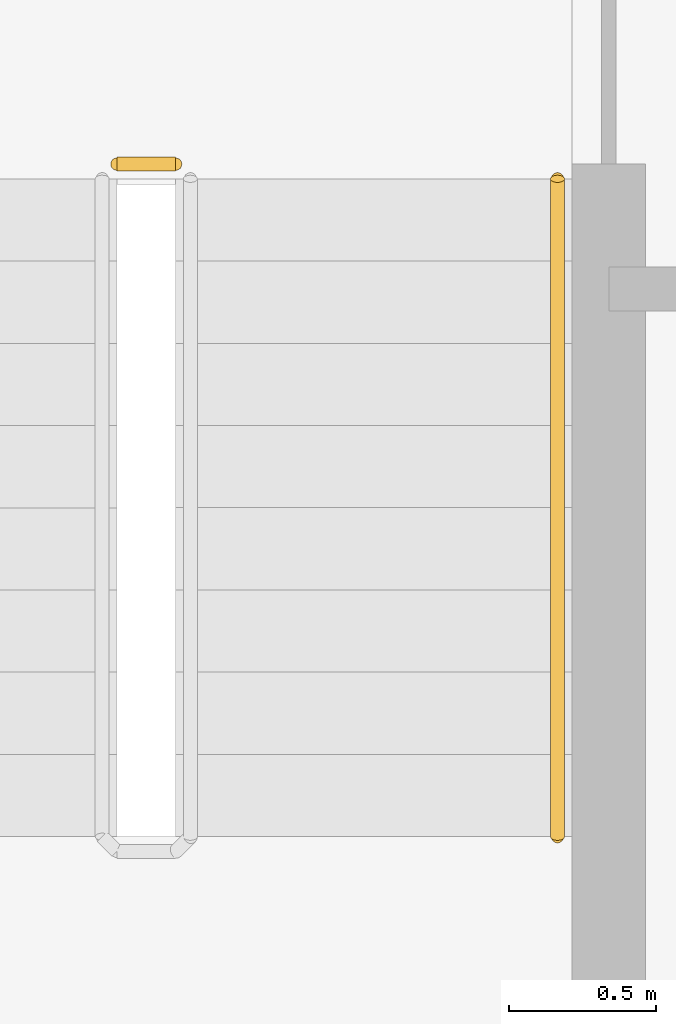
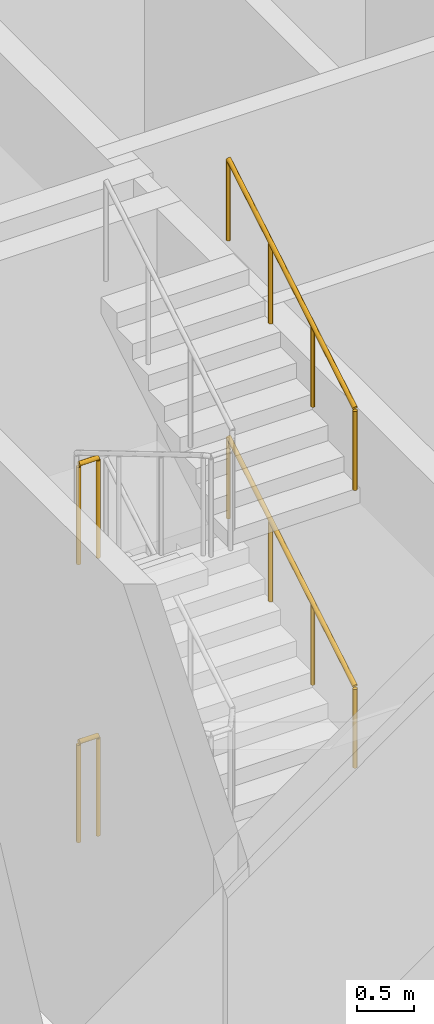
# One storey, part 35 of 47: 4 railings.
"""IFC4 building model written with IfcOpenShell, lengths in metres."""

from ifc_helpers import new_model, si_unit, direction, frame, origin, origin_2d, place, context, subcontext, project, spatial, circle, extrude, material, type_object, element, save


model = new_model("IFC4")

# Units and contexts
model_context = context("Model", 3, precision=1e-05, world=origin(), true_north=direction((0.0, 1.0)))
body_context = subcontext(model_context, "Body", "Model", "MODEL_VIEW")
ifc_project = project(units=[si_unit("LENGTHUNIT", "METRE"), si_unit("AREAUNIT", "SQUARE_METRE"), si_unit("VOLUMEUNIT", "CUBIC_METRE"), si_unit("PLANEANGLEUNIT", "RADIAN"), si_unit("MASSUNIT", "GRAM", prefix="KILO")], contexts=[model_context])

# Site, building, storey
site_placement = place(None, origin())
site = spatial("IfcSite", under=ifc_project, at=site_placement, CompositionType="ELEMENT")
building_placement = place(site_placement, origin())
building = spatial("IfcBuilding", under=site, at=building_placement, Name="Candeia Pilgrim Tower and Theatre", CompositionType="ELEMENT")
storey_placement = place(building_placement, frame((0.0, 0.0, 23.0)))
storey = spatial("IfcBuildingStorey", under=building, at=storey_placement, Name="L03", CompositionType="ELEMENT", Elevation=23.0)

# Railings
ifc_material_1 = material(Name="Stainless steel balustrade", Category="steel")
railing_type_1 = type_object("IfcRailingType", Name="RL-GUARD-1100", PredefinedType="GUARDRAIL", material=ifc_material_1)
for number, where, name in (
    (1, (91.152099609375, 122.52490234375, 3.0), "L03 ST1 stair guard 2"),
    (2, (91.152099609375, 122.52490234375, 0.0), "L03 ST1 stair guard 4"),
):
    element("IfcRailing", number, at=place(storey_placement, frame(where)), inside=storey, type_object=railing_type_1, Name=name, PredefinedType="GUARDRAIL", context=body_context, shape_type="SweptSolid", body=[
        extrude(circle(Radius=0.02392578125, at=origin_2d()), frame((0.0, 0.0, 1.076171875), z_axis=(1.0, 0.0, 0.0), x_axis=(0.0, 1.0, 0.0)), (0.0, 0.0, 1.0), 0.199951171875),
        extrude(circle(Radius=0.02099609375, at=origin_2d()), origin(), (0.0, 0.0, 1.0), 1.052001953125),
        extrude(circle(Radius=0.02099609375, at=origin_2d()), frame((0.199951171875, 0.0, 0.0)), (0.0, 0.0, 1.0), 1.052001953125),
    ])
ifc_material_2 = material(Name="Stainless steel handrail", Category="steel")
railing_type_2 = type_object("IfcRailingType", Name="RL-HANDRAIL-900", PredefinedType="HANDRAIL", material=ifc_material_2)
for number, where, name in (
    (3, (92.652099609375, 120.235107421875, 1.666748046875), "L03 ST1 stair handrail 2"),
    (4, (92.652099609375, 120.235107421875, 4.666748046875), "L03 ST1 stair handrail 4"),
):
    element("IfcRailing", number, at=place(storey_placement, frame(where)), inside=storey, type_object=railing_type_2, Name=name, PredefinedType="HANDRAIL", context=body_context, shape_type="SweptSolid", body=[
        extrude(circle(Radius=0.02392578125, at=origin_2d()), frame((0.0, 0.0, 0.8759765625), z_axis=(0.0, 0.859305625298, 0.511462454469), x_axis=(-1.0, 0.0, 0.0)), (0.0, 0.0, 1.0), 2.606689453125),
        extrude(circle(Radius=0.02099609375, at=origin_2d()), origin(), (0.0, 0.0, 1.0), 0.851806640625),
        extrude(circle(Radius=0.02099609375, at=origin_2d()), frame((0.0, 0.74658203125, 0.4443359375)), (0.0, 0.0, 1.0), 0.851806640625),
        extrude(circle(Radius=0.02099609375, at=origin_2d()), frame((0.0, 1.493408203125, 0.888916015625)), (0.0, 0.0, 1.0), 0.851806640625),
        extrude(circle(Radius=0.02099609375, at=origin_2d()), frame((0.0, 2.239990234375, 1.333251953125)), (0.0, 0.0, 1.0), 0.851806640625),
    ])

save(model, "model.ifc")
